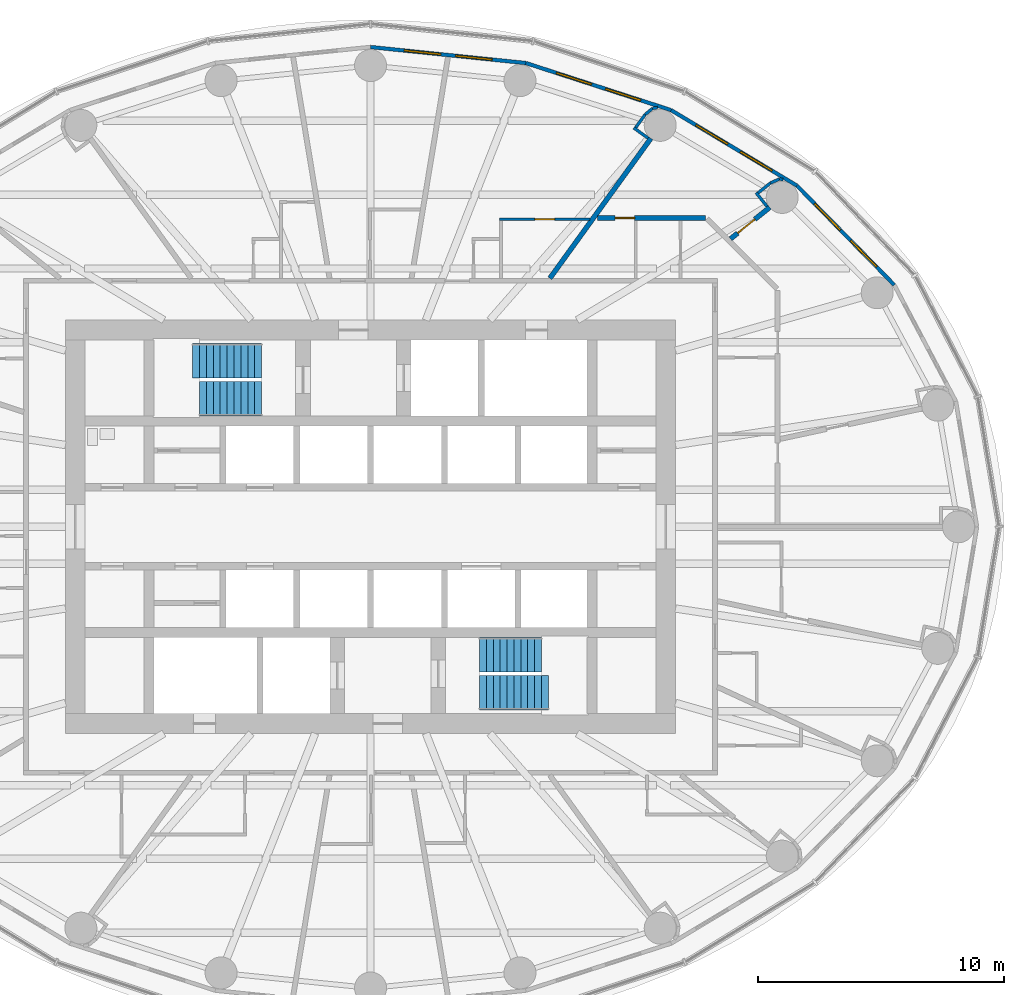
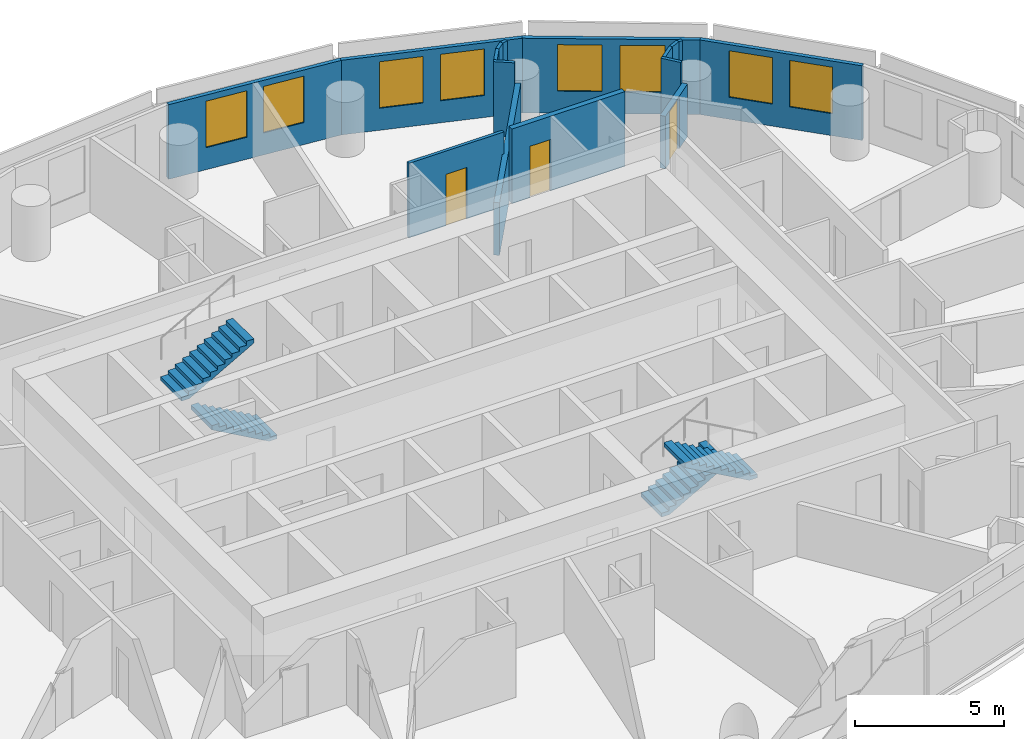
# One storey, part 12 of 14: 16 walls, 8 windows, 4 stair flights, 3 doors, 11 openings, 2 elements without a shape of their own.
"""IFC4 building model written with IfcOpenShell, lengths in metres."""

from ifc_helpers import new_model, si_unit, direction, frame, frame_2d, origin, place, context, subcontext, project, spatial, polyline, rectangle, outline, extrude, material, layer, layer_set, type_object, element, fill, aggregate, save


model = new_model("IFC4")

# Units and contexts
model_context = context("Model", 3, precision=1e-05, world=origin(), true_north=direction((0.0, 1.0)))
body_context = subcontext(model_context, "Body", "Model", "MODEL_VIEW")
ifc_project = project(units=[si_unit("LENGTHUNIT", "METRE"), si_unit("AREAUNIT", "SQUARE_METRE"), si_unit("VOLUMEUNIT", "CUBIC_METRE"), si_unit("PLANEANGLEUNIT", "RADIAN"), si_unit("MASSUNIT", "GRAM", prefix="KILO")], contexts=[model_context])

# Site, building, storey
site_placement = place(None, origin())
site = spatial("IfcSite", under=ifc_project, at=site_placement, CompositionType="ELEMENT")
building_placement = place(site_placement, origin())
building = spatial("IfcBuilding", under=site, at=building_placement, Name="Hankou Lantern Tower", CompositionType="ELEMENT")
storey_placement = place(building_placement, frame((0.0, 0.0, 135.300048828125)))
storey = spatial("IfcBuildingStorey", under=building, at=storey_placement, Name="L35", CompositionType="ELEMENT", Elevation=135.300048828125)

# Wall, openings, windows
ifc_material_1 = material(Name="Aluminium spandrel panel on steel studs", Category="steel")
ifc_layer_1 = layer(ifc_material_1, 0.14990234375)
ifc_layer_set_1 = layer_set([ifc_layer_1], Name="Aluminium spandrel panel on steel studs")
wall_type_1 = type_object("IfcWallType", Name="EW1 INNER SKIN WALL 150", PredefinedType="ELEMENTEDWALL", material=ifc_layer_set_1)
wall_1_placement = place(storey_placement, frame((21.287353515625, 9.83203125, 0.0), z_axis=(0.0, 0.0, 1.0), x_axis=(-0.700136650834, 0.714008872605, 0.0)))
wall_1 = element("IfcWall", 1, at=wall_1_placement, inside=storey, type_object=wall_type_1, Name="Inner skin R03-R04 L35", PredefinedType="ELEMENTEDWALL", context=body_context, shape_type="SweptSolid", body=[
    extrude(rectangle(XDim=5.6494140625, YDim=0.14990234375, at=frame_2d((2.82470703125, 0.0))), origin(), (0.0, 0.0, 1.0), 3.050048828125),
])
opening_1_placement = place(wall_1_placement, frame((1.024658203125, 0.0, 0.89990234375)))
opening_1 = element("IfcOpeningElement", 2, at=opening_1_placement, cuts=wall_1, Name="Opening W2", PredefinedType="OPENING", context=body_context, shape_type="SweptSolid", body=[
    extrude(rectangle(XDim=1.5, YDim=1.89990234375, at=frame_2d((0.75, 0.949951171875))), frame((0.0, 0.0849609375, 0.0), z_axis=(0.0, -1.0, 0.0), x_axis=(1.0, 0.0, 0.0)), (0.0, 0.0, 1.0), 0.169921875),
])
opening_2_placement = place(wall_1_placement, frame((3.12451171875, 0.0, 0.89990234375)))
opening_2 = element("IfcOpeningElement", 3, at=opening_2_placement, cuts=wall_1, Name="Opening W2", PredefinedType="OPENING", context=body_context, shape_type="SweptSolid", body=[
    extrude(rectangle(XDim=1.5, YDim=1.89990234375, at=frame_2d((0.75, 0.949951171875))), frame((0.0, 0.0849609375, 0.0), z_axis=(0.0, -1.0, 0.0), x_axis=(1.0, 0.0, 0.0)), (0.0, 0.0, 1.0), 0.169921875),
])
ifc_material_2 = material(Name="Aluminium framed double glazed window", Category="aluminium")
window_type = type_object("IfcWindowType", Name="W2 GUEST ROOM WINDOW 1500X1900", PartitioningType="DOUBLE_PANEL_VERTICAL", PredefinedType="WINDOW", material=ifc_material_2)
window_1_placement = place(opening_1_placement, origin())
window_1 = element("IfcWindow", 4, at=window_1_placement, inside=storey, type_object=window_type, Name="Window R03.1 L35", OverallHeight=1.89990234375, OverallWidth=1.5, PartitioningType="SINGLE_PANEL", PredefinedType="WINDOW", context=body_context, shape_type="SweptSolid", body=[
    extrude(rectangle(XDim=1.5, YDim=1.89990234375, at=frame_2d((0.75, 0.949951171875))), frame((0.0, 0.030029296875, 0.0), z_axis=(0.0, -1.0, 0.0), x_axis=(1.0, 0.0, 0.0)), (0.0, 0.0, 1.0), 0.06005859375),
])
fill(opening_1, window_1)
window_2_placement = place(opening_2_placement, origin())
window_2 = element("IfcWindow", 5, at=window_2_placement, inside=storey, type_object=window_type, Name="Window R03.2 L35", OverallHeight=1.89990234375, OverallWidth=1.5, PartitioningType="SINGLE_PANEL", PredefinedType="WINDOW", context=body_context, shape_type="SweptSolid", body=[
    extrude(rectangle(XDim=1.5, YDim=1.89990234375, at=frame_2d((0.75, 0.949951171875))), frame((0.0, 0.030029296875, 0.0), z_axis=(0.0, -1.0, 0.0), x_axis=(1.0, 0.0, 0.0)), (0.0, 0.0, 1.0), 0.06005859375),
])
fill(opening_2, window_2)

wall_2_placement = place(storey_placement, frame((17.33203125, 13.86572265625, 0.0), z_axis=(0.0, 0.0, 1.0), x_axis=(-0.857308573723, 0.514802884044, 0.0)))
wall_2 = element("IfcWall", 6, at=wall_2_placement, inside=storey, type_object=wall_type_1, Name="Inner skin R04-R05 L35", PredefinedType="ELEMENTEDWALL", context=body_context, shape_type="SweptSolid", body=[
    extrude(rectangle(XDim=5.961181640625, YDim=0.14990234375, at=frame_2d((2.98046875, 0.0))), origin(), (0.0, 0.0, 1.0), 3.050048828125),
])
opening_3_placement = place(wall_2_placement, frame((1.1806640625, 0.0, 0.89990234375)))
opening_3 = element("IfcOpeningElement", 7, at=opening_3_placement, cuts=wall_2, Name="Opening W2", PredefinedType="OPENING", context=body_context, shape_type="SweptSolid", body=[
    extrude(rectangle(XDim=1.5, YDim=1.89990234375, at=frame_2d((0.75, 0.949951171875))), frame((0.0, 0.0849609375, 0.0), z_axis=(0.0, -1.0, 0.0), x_axis=(1.0, 0.0, 0.0)), (0.0, 0.0, 1.0), 0.169921875),
])
opening_4_placement = place(wall_2_placement, frame((3.280517578125, 0.0, 0.89990234375)))
opening_4 = element("IfcOpeningElement", 8, at=opening_4_placement, cuts=wall_2, Name="Opening W2", PredefinedType="OPENING", context=body_context, shape_type="SweptSolid", body=[
    extrude(rectangle(XDim=1.5, YDim=1.89990234375, at=frame_2d((0.75, 0.949951171875))), frame((0.0, 0.0849609375, 0.0), z_axis=(0.0, -1.0, 0.0), x_axis=(1.0, 0.0, 0.0)), (0.0, 0.0, 1.0), 0.169921875),
])
window_3_placement = place(opening_3_placement, origin())
window_3 = element("IfcWindow", 9, at=window_3_placement, inside=storey, type_object=window_type, Name="Window R04.1 L35", OverallHeight=1.89990234375, OverallWidth=1.5, PartitioningType="SINGLE_PANEL", PredefinedType="WINDOW", context=body_context, shape_type="SweptSolid", body=[
    extrude(rectangle(XDim=1.5, YDim=1.89990234375, at=frame_2d((0.75, 0.949951171875))), frame((0.0, 0.030029296875, 0.0), z_axis=(0.0, -1.0, 0.0), x_axis=(1.0, 0.0, 0.0)), (0.0, 0.0, 1.0), 0.06005859375),
])
fill(opening_3, window_3)
window_4_placement = place(opening_4_placement, origin())
window_4 = element("IfcWindow", 10, at=window_4_placement, inside=storey, type_object=window_type, Name="Window R04.2 L35", OverallHeight=1.89990234375, OverallWidth=1.5, PartitioningType="SINGLE_PANEL", PredefinedType="WINDOW", context=body_context, shape_type="SweptSolid", body=[
    extrude(rectangle(XDim=1.5, YDim=1.89990234375, at=frame_2d((0.75, 0.949951171875))), frame((0.0, 0.030029296875, 0.0), z_axis=(0.0, -1.0, 0.0), x_axis=(1.0, 0.0, 0.0)), (0.0, 0.0, 1.0), 0.06005859375),
])
fill(opening_4, window_4)

wall_3_placement = place(storey_placement, frame((12.221435546875, 16.9345703125, 0.0), z_axis=(0.0, 0.0, 1.0), x_axis=(-0.951272691506, 0.308350881944, 0.0)))
wall_3 = element("IfcWall", 11, at=wall_3_placement, inside=storey, type_object=wall_type_1, Name="Inner skin R05-R06 L35", PredefinedType="ELEMENTEDWALL", context=body_context, shape_type="SweptSolid", body=[
    extrude(rectangle(XDim=6.210693359375, YDim=0.14990234375, at=frame_2d((3.10546875, 0.0))), origin(), (0.0, 0.0, 1.0), 3.050048828125),
])
opening_5_placement = place(wall_3_placement, frame((1.305419921875, 0.0, 0.89990234375)))
opening_5 = element("IfcOpeningElement", 12, at=opening_5_placement, cuts=wall_3, Name="Opening W2", PredefinedType="OPENING", context=body_context, shape_type="SweptSolid", body=[
    extrude(rectangle(XDim=1.5, YDim=1.89990234375, at=frame_2d((0.75, 0.949951171875))), frame((0.0, 0.0849609375, 0.0), z_axis=(0.0, -1.0, 0.0), x_axis=(1.0, 0.0, 0.0)), (0.0, 0.0, 1.0), 0.169921875),
])
opening_6_placement = place(wall_3_placement, frame((3.4052734375, 0.0, 0.89990234375)))
opening_6 = element("IfcOpeningElement", 13, at=opening_6_placement, cuts=wall_3, Name="Opening W2", PredefinedType="OPENING", context=body_context, shape_type="SweptSolid", body=[
    extrude(rectangle(XDim=1.5, YDim=1.89990234375, at=frame_2d((0.75, 0.949951171875))), frame((0.0, 0.0849609375, 0.0), z_axis=(0.0, -1.0, 0.0), x_axis=(1.0, 0.0, 0.0)), (0.0, 0.0, 1.0), 0.169921875),
])
window_5_placement = place(opening_5_placement, origin())
window_5 = element("IfcWindow", 14, at=window_5_placement, inside=storey, type_object=window_type, Name="Window R05.1 L35", OverallHeight=1.89990234375, OverallWidth=1.5, PartitioningType="SINGLE_PANEL", PredefinedType="WINDOW", context=body_context, shape_type="SweptSolid", body=[
    extrude(rectangle(XDim=1.5, YDim=1.89990234375, at=frame_2d((0.75, 0.949951171875))), frame((0.0, 0.030029296875, 0.0), z_axis=(0.0, -1.0, 0.0), x_axis=(1.0, 0.0, 0.0)), (0.0, 0.0, 1.0), 0.06005859375),
])
fill(opening_5, window_5)
window_6_placement = place(opening_6_placement, origin())
window_6 = element("IfcWindow", 15, at=window_6_placement, inside=storey, type_object=window_type, Name="Window R05.2 L35", OverallHeight=1.89990234375, OverallWidth=1.5, PartitioningType="SINGLE_PANEL", PredefinedType="WINDOW", context=body_context, shape_type="SweptSolid", body=[
    extrude(rectangle(XDim=1.5, YDim=1.89990234375, at=frame_2d((0.75, 0.949951171875))), frame((0.0, 0.030029296875, 0.0), z_axis=(0.0, -1.0, 0.0), x_axis=(1.0, 0.0, 0.0)), (0.0, 0.0, 1.0), 0.06005859375),
])
fill(opening_6, window_6)

wall_4_placement = place(storey_placement, frame((6.3134765625, 18.849609375, 0.0), z_axis=(0.0, 0.0, 1.0), x_axis=(-0.994735690163, 0.102473931887, 0.0)))
wall_4 = element("IfcWall", 16, at=wall_4_placement, inside=storey, type_object=wall_type_1, Name="Inner skin R06-R07 L35", PredefinedType="ELEMENTEDWALL", context=body_context, shape_type="SweptSolid", body=[
    extrude(rectangle(XDim=6.346923828125, YDim=0.14990234375, at=frame_2d((3.17333984375, 0.0))), origin(), (0.0, 0.0, 1.0), 3.050048828125),
])
opening_7_placement = place(wall_4_placement, frame((1.373291015625, 0.0, 0.89990234375)))
opening_7 = element("IfcOpeningElement", 17, at=opening_7_placement, cuts=wall_4, Name="Opening W2", PredefinedType="OPENING", context=body_context, shape_type="SweptSolid", body=[
    extrude(rectangle(XDim=1.5, YDim=1.89990234375, at=frame_2d((0.75, 0.949951171875))), frame((0.0, 0.0849609375, 0.0), z_axis=(0.0, -1.0, 0.0), x_axis=(1.0, 0.0, 0.0)), (0.0, 0.0, 1.0), 0.169921875),
])
opening_8_placement = place(wall_4_placement, frame((3.473388671875, 0.0, 0.89990234375)))
opening_8 = element("IfcOpeningElement", 18, at=opening_8_placement, cuts=wall_4, Name="Opening W2", PredefinedType="OPENING", context=body_context, shape_type="SweptSolid", body=[
    extrude(rectangle(XDim=1.5, YDim=1.89990234375, at=frame_2d((0.75, 0.949951171875))), frame((0.0, 0.0849609375, 0.0), z_axis=(0.0, -1.0, 0.0), x_axis=(1.0, 0.0, 0.0)), (0.0, 0.0, 1.0), 0.169921875),
])
window_7_placement = place(opening_7_placement, origin())
window_7 = element("IfcWindow", 19, at=window_7_placement, inside=storey, type_object=window_type, Name="Window R06.1 L35", OverallHeight=1.89990234375, OverallWidth=1.5, PartitioningType="SINGLE_PANEL", PredefinedType="WINDOW", context=body_context, shape_type="SweptSolid", body=[
    extrude(rectangle(XDim=1.5, YDim=1.89990234375, at=frame_2d((0.75, 0.949951171875))), frame((0.0, 0.030029296875, 0.0), z_axis=(0.0, -1.0, 0.0), x_axis=(1.0, 0.0, 0.0)), (0.0, 0.0, 1.0), 0.06005859375),
])
fill(opening_7, window_7)
window_8_placement = place(opening_8_placement, origin())
window_8 = element("IfcWindow", 20, at=window_8_placement, inside=storey, type_object=window_type, Name="Window R06.2 L35", OverallHeight=1.89990234375, OverallWidth=1.5, PartitioningType="SINGLE_PANEL", PredefinedType="WINDOW", context=body_context, shape_type="SweptSolid", body=[
    extrude(rectangle(XDim=1.5, YDim=1.89990234375, at=frame_2d((0.75, 0.949951171875))), frame((0.0, 0.030029296875, 0.0), z_axis=(0.0, -1.0, 0.0), x_axis=(1.0, 0.0, 0.0)), (0.0, 0.0, 1.0), 0.06005859375),
])
fill(opening_8, window_8)

# Wall
ifc_material_3 = material(Name="Masonry lightweight concrete block", Category="masonry")
ifc_layer_2 = layer(ifc_material_3, 0.199951171875)
ifc_layer_set_2 = layer_set([ifc_layer_2], Name="Masonry lightweight concrete block")
wall_type_2 = type_object("IfcWallType", Name="IW1 GUEST ROOM PARTY WALL 200", PredefinedType="PARTITIONING", material=ifc_layer_set_2)
wall_5_placement = place(storey_placement, frame((7.2890625, 10.10009765625, 0.0), z_axis=(0.0, 0.0, 1.0), x_axis=(0.585217367024, 0.81087645997, 0.0)))
element("IfcWall", 21, at=wall_5_placement, inside=storey, type_object=wall_type_2, Name="Party wall R05", PredefinedType="PARTITIONING", context=body_context, shape_type="SweptSolid", body=[
    extrude(rectangle(XDim=7.01611328125, YDim=0.199951171875, at=frame_2d((3.508056640625, 0.0))), origin(), (0.0, 0.0, 1.0), 2.14990234375),
])

# Wall, opening, door
ifc_material_4 = material(Name="Masonry lightweight concrete block", Category="masonry")
ifc_layer_3 = layer(ifc_material_4, 0.1201171875)
ifc_layer_set_3 = layer_set([ifc_layer_3], Name="Masonry lightweight concrete block")
wall_type_3 = type_object("IfcWallType", Name="IW3 BATHROOM WALL 120", PredefinedType="PARTITIONING", material=ifc_layer_set_3)
wall_6_placement = place(storey_placement, frame((8.921142578125, 12.5, 0.0), z_axis=(0.0, 0.0, 1.0), x_axis=(-1.0, 0.0, 0.0)))
wall_6 = element("IfcWall", 22, at=wall_6_placement, inside=storey, type_object=wall_type_3, Name="Box wall 3513 1", PredefinedType="PARTITIONING", context=body_context, shape_type="SweptSolid", body=[
    extrude(rectangle(XDim=3.672119140625, YDim=0.1201171875, at=frame_2d((1.8359375, 0.0))), origin(), (0.0, 0.0, 1.0), 3.050048828125),
])
opening_9_placement = place(wall_6_placement, frame((1.43603515625, 0.0, 0.0)))
opening_9 = element("IfcOpeningElement", 23, at=opening_9_placement, cuts=wall_6, Name="Opening D3", PredefinedType="OPENING", context=body_context, shape_type="SweptSolid", body=[
    extrude(rectangle(XDim=0.800048828125, YDim=2.10009765625, at=frame_2d((0.39990234375, 1.050048828125))), frame((0.0, 0.070068359375, 0.0), z_axis=(0.0, -1.0, 0.0), x_axis=(1.0, 0.0, 0.0)), (0.0, 0.0, 1.0), 0.14013671875),
])
ifc_material_5 = material(Name="Timber door leaf", Category="wood")
door_type_1 = type_object("IfcDoorType", Name="D3 BATHROOM DOOR 800X2100", OperationType="SINGLE_SWING_LEFT", PredefinedType="DOOR", material=ifc_material_5)
door_1_placement = place(opening_9_placement, origin())
door_1 = element("IfcDoor", 24, at=door_1_placement, inside=storey, type_object=door_type_1, Name="En-suite bathroom 3513 door", OperationType="SINGLE_SWING_LEFT", OverallHeight=2.10009765625, OverallWidth=0.800048828125, PredefinedType="DOOR", context=body_context, shape_type="SweptSolid", body=[
    extrude(rectangle(XDim=0.800048828125, YDim=2.10009765625, at=frame_2d((0.39990234375, 1.050048828125))), frame((0.0, 0.02490234375, 0.0), z_axis=(0.0, -1.0, 0.0), x_axis=(1.0, 0.0, 0.0)), (0.0, 0.0, 1.0), 0.050048828125),
])
fill(opening_9, door_1)

# Walls
ifc_material_6 = material(Name="Masonry lightweight concrete block", Category="masonry")
ifc_layer_4 = layer(ifc_material_6, 0.1201171875)
ifc_layer_set_4 = layer_set([ifc_layer_4], Name="Masonry lightweight concrete block")
wall_type_4 = type_object("IfcWallType", Name="IW4 PARTITION 120", PredefinedType="PARTITIONING", material=ifc_layer_set_4)
wall_7_placement = place(storey_placement, frame((16.116943359375, 13.021728515625, 0.0), z_axis=(0.0, 0.0, 1.0), x_axis=(-0.62465344249, 0.780902091677, 0.0)))
element("IfcWall", 25, at=wall_7_placement, inside=storey, type_object=wall_type_4, Name="Column casing R04 return", PredefinedType="PARTITIONING", context=body_context, shape_type="SweptSolid", body=[
    extrude(rectangle(XDim=0.715576171875, YDim=0.1201171875, at=frame_2d((0.35791015625, 0.0))), origin(), (0.0, 0.0, 1.0), 3.050048828125),
])
wall_8_placement = place(storey_placement, frame((15.754150390625, 13.5712890625, 0.0), z_axis=(0.0, 0.0, 1.0), x_axis=(0.780905453553, 0.624649239663, 0.0)))
element("IfcWall", 26, at=wall_8_placement, inside=storey, type_object=wall_type_4, Name="Column casing R04", PredefinedType="PARTITIONING", context=body_context, shape_type="SweptSolid", body=[
    extrude(rectangle(XDim=0.64990234375, YDim=0.1201171875, at=frame_2d((0.324951171875, 0.0))), origin(), (0.0, 0.0, 1.0), 3.050048828125),
])
wall_9_placement = place(storey_placement, frame((16.26171875, 13.977294921875, 0.0), z_axis=(0.0, 0.0, 1.0), x_axis=(0.915985403703, 0.401211590314, 0.0)))
element("IfcWall", 27, at=wall_9_placement, inside=storey, type_object=wall_type_4, Name="Column casing R04", PredefinedType="PARTITIONING", context=body_context, shape_type="SweptSolid", body=[
    extrude(rectangle(XDim=0.391357421875, YDim=0.1201171875, at=frame_2d((0.19580078125, 0.0))), origin(), (0.0, 0.0, 1.0), 3.050048828125),
])
wall_10_placement = place(storey_placement, frame((16.6201171875, 14.13427734375, 0.0), z_axis=(0.0, 0.0, 1.0), x_axis=(0.993941871493, -0.109907033867, 0.0)))
element("IfcWall", 28, at=wall_10_placement, inside=storey, type_object=wall_type_4, Name="Column casing R04", PredefinedType="PARTITIONING", context=body_context, shape_type="SweptSolid", body=[
    extrude(rectangle(XDim=0.1533203125, YDim=0.1201171875, at=frame_2d((0.07666015625, 0.0))), origin(), (0.0, 0.0, 1.0), 3.050048828125),
])
wall_11_placement = place(storey_placement, frame((11.27880859375, 15.799072265625, 0.0), z_axis=(0.0, 0.0, 1.0), x_axis=(-0.810912957127, 0.585166793285, 0.0)))
element("IfcWall", 29, at=wall_11_placement, inside=storey, type_object=wall_type_4, Name="Column casing R05 return", PredefinedType="PARTITIONING", context=body_context, shape_type="SweptSolid", body=[
    extrude(rectangle(XDim=0.7158203125, YDim=0.1201171875, at=frame_2d((0.35791015625, 0.0))), origin(), (0.0, 0.0, 1.0), 3.050048828125),
])
wall_12_placement = place(storey_placement, frame((10.781982421875, 16.2314453125, 0.0), z_axis=(0.0, 0.0, 1.0), x_axis=(0.585175102182, 0.810906961239, 0.0)))
element("IfcWall", 30, at=wall_12_placement, inside=storey, type_object=wall_type_4, Name="Column casing R05", PredefinedType="PARTITIONING", context=body_context, shape_type="SweptSolid", body=[
    extrude(rectangle(XDim=0.64990234375, YDim=0.1201171875, at=frame_2d((0.324951171875, 0.0))), origin(), (0.0, 0.0, 1.0), 3.050048828125),
])
wall_13_placement = place(storey_placement, frame((11.162353515625, 16.758544921875, 0.0), z_axis=(0.0, 0.0, 1.0), x_axis=(0.775178428527, 0.63174235567, 0.0)))
element("IfcWall", 31, at=wall_13_placement, inside=storey, type_object=wall_type_4, Name="Column casing R05", PredefinedType="PARTITIONING", context=body_context, shape_type="SweptSolid", body=[
    extrude(rectangle(XDim=0.3916015625, YDim=0.1201171875, at=frame_2d((0.19580078125, 0.0))), origin(), (0.0, 0.0, 1.0), 3.050048828125),
])
wall_14_placement = place(storey_placement, frame((11.4658203125, 17.005859375, 0.0), z_axis=(0.0, 0.0, 1.0), x_axis=(0.987228877621, 0.15930832744, 0.0)))
element("IfcWall", 32, at=wall_14_placement, inside=storey, type_object=wall_type_4, Name="Column casing R05", PredefinedType="PARTITIONING", context=body_context, shape_type="SweptSolid", body=[
    extrude(rectangle(XDim=0.202392578125, YDim=0.1201171875, at=frame_2d((0.10107421875, 0.0))), origin(), (0.0, 0.0, 1.0), 3.050048828125),
])

# Wall, opening, door
ifc_material_7 = material(Name="Masonry lightweight concrete block", Category="masonry")
ifc_layer_5 = layer(ifc_material_7, 0.199951171875)
ifc_layer_set_5 = layer_set([ifc_layer_5], Name="Masonry lightweight concrete block")
wall_type_5 = type_object("IfcWallType", Name="IW6 SUITE PARTITION 200", PredefinedType="PARTITIONING", material=ifc_layer_set_5)
wall_15_placement = place(storey_placement, frame((13.608642578125, 12.550048828125, 0.0), z_axis=(0.0, 0.0, 1.0), x_axis=(-1.0, 0.0, 0.0)))
wall_15 = element("IfcWall", 33, at=wall_15_placement, inside=storey, type_object=wall_type_5, Name="Suite foyer wall 3512", PredefinedType="PARTITIONING", context=body_context, shape_type="SweptSolid", body=[
    extrude(rectangle(XDim=4.376953125, YDim=0.199951171875, at=frame_2d((2.1884765625, 0.0))), origin(), (0.0, 0.0, 1.0), 3.050048828125),
])
opening_10_placement = place(wall_15_placement, frame((2.8701171875, 0.0, 0.0)))
opening_10 = element("IfcOpeningElement", 34, at=opening_10_placement, cuts=wall_15, Name="Opening D3", PredefinedType="OPENING", context=body_context, shape_type="SweptSolid", body=[
    extrude(rectangle(XDim=0.800048828125, YDim=2.10009765625, at=frame_2d((0.39990234375, 1.050048828125))), frame((0.0, 0.10986328125, 0.0), z_axis=(0.0, -1.0, 0.0), x_axis=(1.0, 0.0, 0.0)), (0.0, 0.0, 1.0), 0.219970703125),
])
door_2_placement = place(opening_10_placement, origin())
door_2 = element("IfcDoor", 35, at=door_2_placement, inside=storey, type_object=door_type_1, Name="Family suite 3512 second bathroom door", OperationType="SINGLE_SWING_LEFT", OverallHeight=2.10009765625, OverallWidth=0.800048828125, PredefinedType="DOOR", context=body_context, shape_type="SweptSolid", body=[
    extrude(rectangle(XDim=0.800048828125, YDim=2.10009765625, at=frame_2d((0.39990234375, 1.050048828125))), frame((0.0, 0.02490234375, 0.0), z_axis=(0.0, -1.0, 0.0), x_axis=(1.0, 0.0, 0.0)), (0.0, 0.0, 1.0), 0.050048828125),
])
fill(opening_10, door_2)

wall_16_placement = place(storey_placement, frame((14.634033203125, 11.707275390625, 0.0), z_axis=(0.0, 0.0, 1.0), x_axis=(0.780845447951, 0.6247242483, 0.0)))
wall_16 = element("IfcWall", 36, at=wall_16_placement, inside=storey, type_object=wall_type_5, Name="Suite partition R04", PredefinedType="PARTITIONING", context=body_context, shape_type="SweptSolid", body=[
    extrude(rectangle(XDim=2.0390625, YDim=0.199951171875, at=frame_2d((1.01953125, 0.0))), origin(), (0.0, 0.0, 1.0), 2.14990234375),
])
opening_11_placement = place(wall_16_placement, frame((0.3701171875, 0.0, 0.0)))
opening_11 = element("IfcOpeningElement", 37, at=opening_11_placement, cuts=wall_16, Name="Opening D27", PredefinedType="OPENING", context=body_context, shape_type="SweptSolid", body=[
    extrude(rectangle(XDim=0.89990234375, YDim=2.10009765625, at=frame_2d((0.449951171875, 1.050048828125))), frame((0.0, 0.10986328125, 0.0), z_axis=(0.0, -1.0, 0.0), x_axis=(1.0, 0.0, 0.0)), (0.0, 0.0, 1.0), 0.219970703125),
])
ifc_material_8 = material(Name="Timber door leaf", Category="wood")
door_type_2 = type_object("IfcDoorType", Name="D27 INTERNAL DOOR 900X2100", OperationType="SINGLE_SWING_LEFT", PredefinedType="DOOR", material=ifc_material_8)
door_3_placement = place(opening_11_placement, origin())
door_3 = element("IfcDoor", 38, at=door_3_placement, inside=storey, type_object=door_type_2, Name="Family suite 3512 second bedroom door", OperationType="SINGLE_SWING_LEFT", OverallHeight=2.10009765625, OverallWidth=0.89990234375, PredefinedType="DOOR", context=body_context, shape_type="SweptSolid", body=[
    extrude(rectangle(XDim=0.89990234375, YDim=2.10009765625, at=frame_2d((0.449951171875, 1.050048828125))), frame((0.0, 0.02490234375, 0.0), z_axis=(0.0, -1.0, 0.0), x_axis=(1.0, 0.0, 0.0)), (0.0, 0.0, 1.0), 0.050048828125),
])
fill(opening_11, door_3)

# Stair, stair flight
ifc_material_9 = material(Name="Concrete C40", Category="concrete")
stair_type = type_object("IfcStairType", Name="ST33 CORE STAIR 3300 RISE", PredefinedType="HALF_TURN_STAIR", material=ifc_material_9)
stair_1_placement = place(storey_placement, origin())
stair_1 = element("IfcStair", 39, at=stair_1_placement, inside=storey, type_object=stair_type, Name="Stair STA L35", PredefinedType="HALF_TURN_STAIR")
ifc_material_10 = material(Name="Concrete C40", Category="concrete")
stair_flight_type_1 = type_object("IfcStairFlightType", Name="CF10 CORE STAIR FLIGHT 1400 X 10 RISERS", PredefinedType="STRAIGHT", material=ifc_material_10)
stair_flight_1_placement = place(storey_placement, frame((-4.429931640625, 5.199951171875, 0.0), z_axis=(0.0, 0.0, 1.0), x_axis=(-1.0, 0.0, 0.0)))
stair_flight_1 = element("IfcStairFlight", 40, at=stair_flight_1_placement, type_object=stair_flight_type_1, Name="STA flight 1", NumberOfRisers=10, NumberOfTreads=9, PredefinedType="STRAIGHT", RiserHeight=0.157142857, TreadLength=0.28, context=body_context, shape_type="SweptSolid", body=[
    extrude(outline(polyline([(0.0, 0.0), (0.0, 0.1572265625), (0.280029296875, 0.1572265625), (0.280029296875, 0.314208984375), (0.56005859375, 0.314208984375), (0.56005859375, 0.471435546875), (0.840087890625, 0.471435546875), (0.840087890625, 0.628662109375), (1.1201171875, 0.628662109375), (1.1201171875, 0.78564453125), (1.39990234375, 0.78564453125), (1.39990234375, 0.94287109375), (1.679931640625, 0.94287109375), (1.679931640625, 1.10009765625), (1.9599609375, 1.10009765625), (1.9599609375, 1.257080078125), (2.239990234375, 1.257080078125), (2.239990234375, 1.414306640625), (2.52001953125, 1.414306640625), (2.52001953125, 1.571533203125), (2.52001953125, 1.242431640625), (0.306396484375, 0.0), (0.0, 0.0)])), frame((0.0, 0.699951171875, 0.0), z_axis=(0.0, -1.0, 0.0), x_axis=(1.0, 0.0, 0.0)), (0.0, 0.0, 1.0), 1.39990234375),
])

stair_2_placement = place(storey_placement, origin())
stair_2 = element("IfcStair", 41, at=stair_2_placement, inside=storey, type_object=stair_type, Name="Stair STB L35", PredefinedType="HALF_TURN_STAIR")
stair_flight_2_placement = place(storey_placement, frame((4.429931640625, -5.199951171875, 0.0), z_axis=(0.0, 0.0, 1.0), x_axis=(1.0, 0.0, 0.0)))
stair_flight_2 = element("IfcStairFlight", 42, at=stair_flight_2_placement, type_object=stair_flight_type_1, Name="STB flight 1", NumberOfRisers=10, NumberOfTreads=9, PredefinedType="STRAIGHT", RiserHeight=0.157142857, TreadLength=0.28, context=body_context, shape_type="SweptSolid", body=[
    extrude(outline(polyline([(0.0, 0.0), (0.0, 0.1572265625), (0.280029296875, 0.1572265625), (0.280029296875, 0.314208984375), (0.56005859375, 0.314208984375), (0.56005859375, 0.471435546875), (0.840087890625, 0.471435546875), (0.840087890625, 0.628662109375), (1.1201171875, 0.628662109375), (1.1201171875, 0.78564453125), (1.39990234375, 0.78564453125), (1.39990234375, 0.94287109375), (1.679931640625, 0.94287109375), (1.679931640625, 1.10009765625), (1.9599609375, 1.10009765625), (1.9599609375, 1.257080078125), (2.239990234375, 1.257080078125), (2.239990234375, 1.414306640625), (2.52001953125, 1.414306640625), (2.52001953125, 1.571533203125), (2.52001953125, 1.242431640625), (0.306396484375, 0.0), (0.0, 0.0)])), frame((0.0, 0.699951171875, 0.0), z_axis=(0.0, -1.0, 0.0), x_axis=(1.0, 0.0, 0.0)), (0.0, 0.0, 1.0), 1.39990234375),
])

# Stair flight
ifc_material_11 = material(Name="Concrete C40", Category="concrete")
stair_flight_type_2 = type_object("IfcStairFlightType", Name="CF11 CORE STAIR FLIGHT 1400 X 11 RISERS", PredefinedType="STRAIGHT", material=ifc_material_11)
stair_flight_3_placement = place(storey_placement, frame((-7.22998046875, 6.75, 1.5712890625), z_axis=(0.0, 0.0, 1.0), x_axis=(1.0, 0.0, 0.0)))
stair_flight_3 = element("IfcStairFlight", 43, at=stair_flight_3_placement, type_object=stair_flight_type_2, Name="STA flight 2", NumberOfRisers=11, NumberOfTreads=10, PredefinedType="STRAIGHT", RiserHeight=0.157142857, TreadLength=0.28, context=body_context, shape_type="SweptSolid", body=[
    extrude(outline(polyline([(0.0, 0.0), (0.0, 0.1572265625), (0.280029296875, 0.1572265625), (0.280029296875, 0.314208984375), (0.56005859375, 0.314208984375), (0.56005859375, 0.471435546875), (0.840087890625, 0.471435546875), (0.840087890625, 0.628662109375), (1.1201171875, 0.628662109375), (1.1201171875, 0.78564453125), (1.39990234375, 0.78564453125), (1.39990234375, 0.94287109375), (1.679931640625, 0.94287109375), (1.679931640625, 1.10009765625), (1.9599609375, 1.10009765625), (1.9599609375, 1.257080078125), (2.239990234375, 1.257080078125), (2.239990234375, 1.414306640625), (2.52001953125, 1.414306640625), (2.52001953125, 1.571533203125), (2.800048828125, 1.571533203125), (2.800048828125, 1.728515625), (2.800048828125, 1.3994140625), (0.306396484375, 0.0), (0.0, 0.0)])), frame((0.0, 0.699951171875, 0.0), z_axis=(0.0, -1.0, 0.0), x_axis=(1.0, 0.0, 0.0)), (0.0, 0.0, 1.0), 1.39990234375),
])

aggregate(stair_1, [stair_flight_1, stair_flight_3])

stair_flight_4_placement = place(storey_placement, frame((7.22998046875, -6.75, 1.5712890625), z_axis=(0.0, 0.0, 1.0), x_axis=(-1.0, 0.0, 0.0)))
stair_flight_4 = element("IfcStairFlight", 44, at=stair_flight_4_placement, type_object=stair_flight_type_2, Name="STB flight 2", NumberOfRisers=11, NumberOfTreads=10, PredefinedType="STRAIGHT", RiserHeight=0.157142857, TreadLength=0.28, context=body_context, shape_type="SweptSolid", body=[
    extrude(outline(polyline([(0.0, 0.0), (0.0, 0.1572265625), (0.280029296875, 0.1572265625), (0.280029296875, 0.314208984375), (0.56005859375, 0.314208984375), (0.56005859375, 0.471435546875), (0.840087890625, 0.471435546875), (0.840087890625, 0.628662109375), (1.1201171875, 0.628662109375), (1.1201171875, 0.78564453125), (1.39990234375, 0.78564453125), (1.39990234375, 0.94287109375), (1.679931640625, 0.94287109375), (1.679931640625, 1.10009765625), (1.9599609375, 1.10009765625), (1.9599609375, 1.257080078125), (2.239990234375, 1.257080078125), (2.239990234375, 1.414306640625), (2.52001953125, 1.414306640625), (2.52001953125, 1.571533203125), (2.800048828125, 1.571533203125), (2.800048828125, 1.728515625), (2.800048828125, 1.3994140625), (0.306396484375, 0.0), (0.0, 0.0)])), frame((0.0, 0.699951171875, 0.0), z_axis=(0.0, -1.0, 0.0), x_axis=(1.0, 0.0, 0.0)), (0.0, 0.0, 1.0), 1.39990234375),
])

aggregate(stair_2, [stair_flight_2, stair_flight_4])

save(model, "model.ifc")
